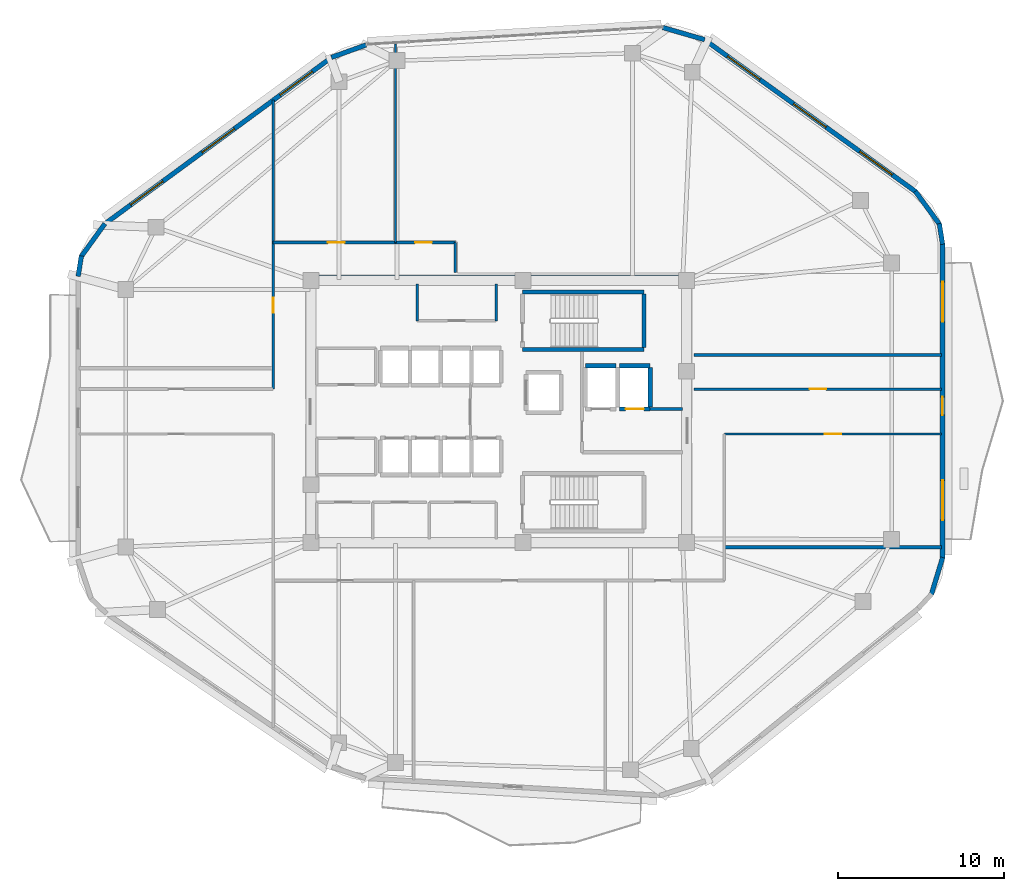
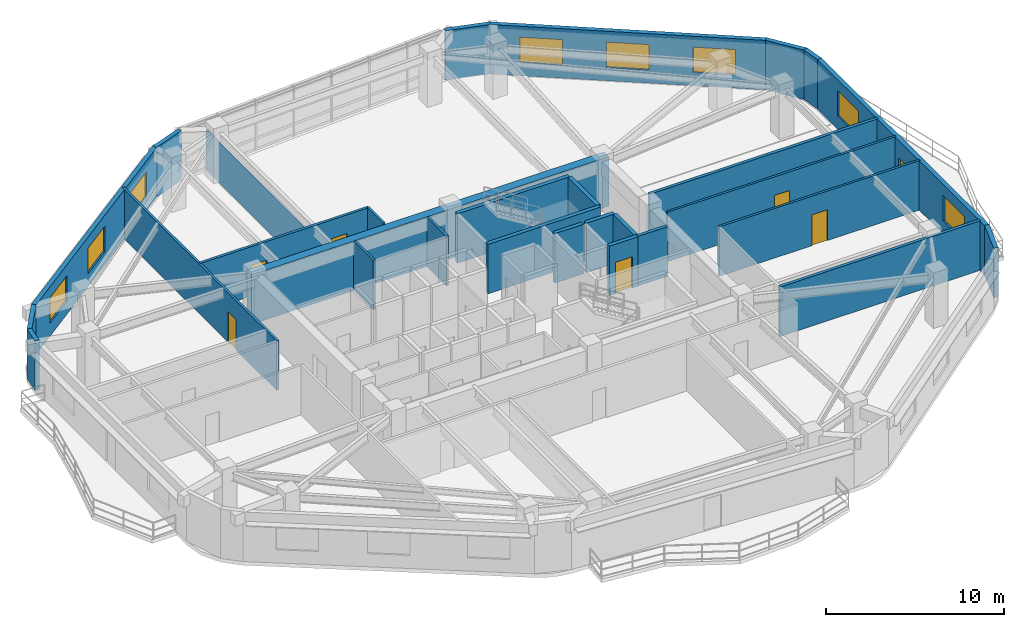
# One storey, part 10 of 14: 29 walls, 8 windows, 7 doors, 15 openings.
"""IFC4 building model written with IfcOpenShell, lengths in metres."""

from ifc_helpers import new_model, si_unit, direction, frame, frame_2d, origin, place, context, subcontext, project, spatial, rectangle, extrude, material, layer, layer_set, type_object, element, fill, save


model = new_model("IFC4")

# Units and contexts
model_context = context("Model", 3, precision=1e-05, world=origin(), true_north=direction((0.0, 1.0)))
body_context = subcontext(model_context, "Body", "Model", "MODEL_VIEW")
ifc_project = project(units=[si_unit("LENGTHUNIT", "METRE"), si_unit("AREAUNIT", "SQUARE_METRE"), si_unit("VOLUMEUNIT", "CUBIC_METRE"), si_unit("PLANEANGLEUNIT", "RADIAN"), si_unit("MASSUNIT", "GRAM", prefix="KILO")], contexts=[model_context])

# Site, building, storey
site_placement = place(None, origin())
site = spatial("IfcSite", under=ifc_project, at=site_placement, CompositionType="ELEMENT")
building_placement = place(site_placement, origin())
building = spatial("IfcBuilding", under=site, at=building_placement, Name="Zulverin Broadcast Headquarters", CompositionType="ELEMENT")
storey_placement = place(building_placement, frame((0.0, 0.0, 216.199951171875)))
storey = spatial("IfcBuildingStorey", under=building, at=storey_placement, Name="L55", CompositionType="ELEMENT", Elevation=216.199951171875)

# Walls
ifc_material_1 = material(Name="Acoustic drywall steel stud", Category="steel")
ifc_layer_1 = layer(ifc_material_1, 0.199951171875, Name="Acoustic drywall steel stud", Category="steel")
ifc_layer_set_1 = layer_set([ifc_layer_1], Name="Acoustic drywall steel stud")
wall_type_1 = type_object("IfcWallType", Name="WL-ACOU-200", PredefinedType="PARTITIONING", material=ifc_layer_set_1)
wall_1_placement = place(storey_placement, frame((50.550048828125, 17.050048828125, 0.0), z_axis=(0.0, 0.0, 1.0), x_axis=(1.0, 0.0, 0.0)))
element("IfcWall", 1, at=wall_1_placement, inside=storey, type_object=wall_type_1, Name="L55 Room Partition Wall RP-09", PredefinedType="PARTITIONING", context=body_context, shape_type="SweptSolid", body=[
    extrude(rectangle(XDim=13.044921875, YDim=0.199951171875, at=frame_2d((6.5224609375, 0.0))), origin(), (0.0, 0.0, 1.0), 3.400146484375),
])
wall_2_placement = place(storey_placement, frame((48.739990234375, 28.60009765625, 0.0), z_axis=(0.0, 0.0, 1.0), x_axis=(1.0, 0.0, 0.0)))
element("IfcWall", 2, at=wall_2_placement, inside=storey, type_object=wall_type_1, Name="L55 Room Partition Wall RP-15", PredefinedType="PARTITIONING", context=body_context, shape_type="SweptSolid", body=[
    extrude(rectangle(XDim=14.85498046875, YDim=0.199951171875, at=frame_2d((7.427490234375, 0.0))), origin(), (0.0, 0.0, 1.0), 3.400146484375),
])
ifc_material_2 = material(Name="Concrete C60/75", Category="concrete")
ifc_layer_2 = layer(ifc_material_2, 0.550048828125, Name="Concrete C60/75", Category="concrete")
ifc_layer_set_2 = layer_set([ifc_layer_2], Name="Concrete C60/75")
wall_type_2 = type_object("IfcWallType", Name="WL-CORE-550", PredefinedType="SHEAR", material=ifc_layer_set_2)
wall_3_placement = place(storey_placement, frame((25.39990234375, 33.125, 0.0), z_axis=(0.0, 0.0, 1.0), x_axis=(1.0, 0.0, 0.0)))
element("IfcWall", 3, at=wall_3_placement, inside=storey, type_object=wall_type_2, Name="L55 Core North Shear Wall", PredefinedType="SHEAR", context=body_context, shape_type="SweptSolid", body=[
    extrude(rectangle(XDim=23.2001953125, YDim=0.550048828125, at=frame_2d((11.60009765625, 0.0))), origin(), (0.0, 0.0, 1.0), 3.400146484375),
])

# Wall, openings, door, windows
ifc_material_3 = material(Name="Insulated pale-metal clad concrete spandrel C40/50", Category="concrete")
ifc_layer_3 = layer(ifc_material_3, 0.280029296875, Name="Insulated pale-metal clad concrete spandrel C40/50", Category="concrete")
ifc_layer_set_3 = layer_set([ifc_layer_3], Name="Insulated pale-metal clad concrete spandrel C40/50")
wall_type_3 = type_object("IfcWallType", Name="WL-EXT-280", PredefinedType="STANDARD", material=ifc_layer_set_3)
wall_4_placement = place(storey_placement, frame((63.659912109375, 16.390380859375, 0.0), z_axis=(0.0, 0.0, 1.0), x_axis=(0.0, 1.0, 0.0)))
wall_4 = element("IfcWall", 4, at=wall_4_placement, inside=storey, type_object=wall_type_3, Name="L55 Pale-Metal Clad Spandrel Wall 3", PredefinedType="STANDARD", context=body_context, shape_type="SweptSolid", body=[
    extrude(rectangle(XDim=18.875732421875, YDim=0.280029296875, at=frame_2d((9.43798828125, 0.0))), origin(), (0.0, 0.0, 1.0), 3.400146484375),
])
opening_1_placement = place(wall_4_placement, frame((8.587890625, 0.0, 0.0)))
opening_1 = element("IfcOpeningElement", 5, at=opening_1_placement, cuts=wall_4, Name="Opening D-L55-TR3", PredefinedType="OPENING", context=body_context, shape_type="SweptSolid", body=[
    extrude(rectangle(XDim=1.10009765625, YDim=2.199951171875, at=frame_2d((0.550048828125, 1.10009765625))), frame((0.0, 0.14990234375, 0.0), z_axis=(0.0, -1.0, 0.0), x_axis=(1.0, 0.0, 0.0)), (0.0, 0.0, 1.0), 0.300048828125),
])
opening_2_placement = place(wall_4_placement, frame((2.279296875, 0.0, 0.89990234375)))
opening_2 = element("IfcOpeningElement", 6, at=opening_2_placement, cuts=wall_4, Name="Opening W-L55-E31", PredefinedType="OPENING", context=body_context, shape_type="SweptSolid", body=[
    extrude(rectangle(XDim=2.39990234375, YDim=1.75, at=frame_2d((1.199951171875, 0.875))), frame((0.0, 0.14990234375, 0.0), z_axis=(0.0, -1.0, 0.0), x_axis=(1.0, 0.0, 0.0)), (0.0, 0.0, 1.0), 0.300048828125),
])
opening_3_placement = place(wall_4_placement, frame((14.196533203125, 0.0, 0.89990234375)))
opening_3 = element("IfcOpeningElement", 7, at=opening_3_placement, cuts=wall_4, Name="Opening W-L55-E32", PredefinedType="OPENING", context=body_context, shape_type="SweptSolid", body=[
    extrude(rectangle(XDim=2.39990234375, YDim=1.75, at=frame_2d((1.199951171875, 0.875))), frame((0.0, 0.14990234375, 0.0), z_axis=(0.0, -1.0, 0.0), x_axis=(1.0, 0.0, 0.0)), (0.0, 0.0, 1.0), 0.300048828125),
])
ifc_material_4 = material(Name="Thermally broken aluminium glazed", Category="aluminium")
door_type_1 = type_object("IfcDoorType", Name="DR-TERR-1100", OperationType="SINGLE_SWING_RIGHT", PredefinedType="DOOR", material=ifc_material_4)
door_1_placement = place(opening_1_placement, origin())
door_1 = element("IfcDoor", 8, at=door_1_placement, inside=storey, type_object=door_type_1, Name="L55 Planted Terrace Glazed Access Door 3", OperationType="SINGLE_SWING_RIGHT", OverallHeight=2.199951171875, OverallWidth=1.10009765625, PredefinedType="DOOR", context=body_context, shape_type="SweptSolid", body=[
    extrude(rectangle(XDim=1.10009765625, YDim=2.199951171875, at=frame_2d((0.550048828125, 1.10009765625))), frame((0.0, 0.02490234375, 0.0), z_axis=(0.0, -1.0, 0.0), x_axis=(1.0, 0.0, 0.0)), (0.0, 0.0, 1.0), 0.050048828125),
])
fill(opening_1, door_1)
ifc_material_5 = material(Name="Pale anodized aluminium frame with solar-control low-E double glazing", Category="aluminium")
window_type = type_object("IfcWindowType", Name="WIN-RIB-2400", PartitioningType="SINGLE_PANEL", PredefinedType="WINDOW", material=ifc_material_5)
window_1_placement = place(opening_2_placement, origin())
window_1 = element("IfcWindow", 9, at=window_1_placement, inside=storey, type_object=window_type, Name="L55 Ribbon Glazing Window 3 1", OverallHeight=1.75, OverallWidth=2.39990234375, PartitioningType="SINGLE_PANEL", PredefinedType="WINDOW", context=body_context, shape_type="SweptSolid", body=[
    extrude(rectangle(XDim=2.39990234375, YDim=1.75, at=frame_2d((1.199951171875, 0.875))), frame((0.0, 0.030029296875, 0.0), z_axis=(0.0, -1.0, 0.0), x_axis=(1.0, 0.0, 0.0)), (0.0, 0.0, 1.0), 0.06005859375),
])
fill(opening_2, window_1)
window_2_placement = place(opening_3_placement, origin())
window_2 = element("IfcWindow", 10, at=window_2_placement, inside=storey, type_object=window_type, Name="L55 Ribbon Glazing Window 3 2", OverallHeight=1.75, OverallWidth=2.39990234375, PartitioningType="SINGLE_PANEL", PredefinedType="WINDOW", context=body_context, shape_type="SweptSolid", body=[
    extrude(rectangle(XDim=2.39990234375, YDim=1.75, at=frame_2d((1.199951171875, 0.875))), frame((0.0, 0.030029296875, 0.0), z_axis=(0.0, -1.0, 0.0), x_axis=(1.0, 0.0, 0.0)), (0.0, 0.0, 1.0), 0.06005859375),
])
fill(opening_3, window_2)

# Wall, openings, windows
wall_5_placement = place(storey_placement, frame((62.054443359375, 38.3994140625, 0.0), z_axis=(0.0, 0.0, 1.0), x_axis=(-0.81172124793, 0.584045045915, 0.0)))
wall_5 = element("IfcWall", 11, at=wall_5_placement, inside=storey, type_object=wall_type_3, Name="L55 Pale-Metal Clad Spandrel Wall 4", PredefinedType="STANDARD", context=body_context, shape_type="SweptSolid", body=[
    extrude(rectangle(XDim=15.679443359375, YDim=0.280029296875, at=frame_2d((7.83984375, 0.0))), origin(), (0.0, 0.0, 1.0), 3.400146484375),
])
opening_4_placement = place(wall_5_placement, frame((1.74658203125, 0.0, 0.89990234375)))
opening_4 = element("IfcOpeningElement", 12, at=opening_4_placement, cuts=wall_5, Name="Opening W-L55-E41", PredefinedType="OPENING", context=body_context, shape_type="SweptSolid", body=[
    extrude(rectangle(XDim=2.39990234375, YDim=1.75, at=frame_2d((1.199951171875, 0.875))), frame((0.0, 0.14990234375, 0.0), z_axis=(0.0, -1.0, 0.0), x_axis=(1.0, 0.0, 0.0)), (0.0, 0.0, 1.0), 0.300048828125),
])
opening_5_placement = place(wall_5_placement, frame((6.6396484375, 0.0, 0.89990234375)))
opening_5 = element("IfcOpeningElement", 13, at=opening_5_placement, cuts=wall_5, Name="Opening W-L55-E42", PredefinedType="OPENING", context=body_context, shape_type="SweptSolid", body=[
    extrude(rectangle(XDim=2.39990234375, YDim=1.75, at=frame_2d((1.199951171875, 0.875))), frame((0.0, 0.14990234375, 0.0), z_axis=(0.0, -1.0, 0.0), x_axis=(1.0, 0.0, 0.0)), (0.0, 0.0, 1.0), 0.300048828125),
])
opening_6_placement = place(wall_5_placement, frame((11.53271484375, 0.0, 0.89990234375)))
opening_6 = element("IfcOpeningElement", 14, at=opening_6_placement, cuts=wall_5, Name="Opening W-L55-E43", PredefinedType="OPENING", context=body_context, shape_type="SweptSolid", body=[
    extrude(rectangle(XDim=2.39990234375, YDim=1.75, at=frame_2d((1.199951171875, 0.875))), frame((0.0, 0.14990234375, 0.0), z_axis=(0.0, -1.0, 0.0), x_axis=(1.0, 0.0, 0.0)), (0.0, 0.0, 1.0), 0.300048828125),
])
window_3_placement = place(opening_4_placement, origin())
window_3 = element("IfcWindow", 15, at=window_3_placement, inside=storey, type_object=window_type, Name="L55 Ribbon Glazing Window 4 1", OverallHeight=1.75, OverallWidth=2.39990234375, PartitioningType="SINGLE_PANEL", PredefinedType="WINDOW", context=body_context, shape_type="SweptSolid", body=[
    extrude(rectangle(XDim=2.39990234375, YDim=1.75, at=frame_2d((1.199951171875, 0.875))), frame((0.0, 0.030029296875, 0.0), z_axis=(0.0, -1.0, 0.0), x_axis=(1.0, 0.0, 0.0)), (0.0, 0.0, 1.0), 0.06005859375),
])
fill(opening_4, window_3)
window_4_placement = place(opening_5_placement, origin())
window_4 = element("IfcWindow", 16, at=window_4_placement, inside=storey, type_object=window_type, Name="L55 Ribbon Glazing Window 4 2", OverallHeight=1.75, OverallWidth=2.39990234375, PartitioningType="SINGLE_PANEL", PredefinedType="WINDOW", context=body_context, shape_type="SweptSolid", body=[
    extrude(rectangle(XDim=2.39990234375, YDim=1.75, at=frame_2d((1.199951171875, 0.875))), frame((0.0, 0.030029296875, 0.0), z_axis=(0.0, -1.0, 0.0), x_axis=(1.0, 0.0, 0.0)), (0.0, 0.0, 1.0), 0.06005859375),
])
fill(opening_5, window_4)
window_5_placement = place(opening_6_placement, origin())
window_5 = element("IfcWindow", 17, at=window_5_placement, inside=storey, type_object=window_type, Name="L55 Ribbon Glazing Window 4 3", OverallHeight=1.75, OverallWidth=2.39990234375, PartitioningType="SINGLE_PANEL", PredefinedType="WINDOW", context=body_context, shape_type="SweptSolid", body=[
    extrude(rectangle(XDim=2.39990234375, YDim=1.75, at=frame_2d((1.199951171875, 0.875))), frame((0.0, 0.030029296875, 0.0), z_axis=(0.0, -1.0, 0.0), x_axis=(1.0, 0.0, 0.0)), (0.0, 0.0, 1.0), 0.06005859375),
])
fill(opening_6, window_5)

wall_6_placement = place(storey_placement, frame((26.986083984375, 46.48779296875, 0.0), z_axis=(0.0, 0.0, 1.0), x_axis=(-0.806097783211, -0.59178236194, 0.0)))
wall_6 = element("IfcWall", 18, at=wall_6_placement, inside=storey, type_object=wall_type_3, Name="L55 Pale-Metal Clad Spandrel Wall 6", PredefinedType="STANDARD", context=body_context, shape_type="SweptSolid", body=[
    extrude(rectangle(XDim=16.958740234375, YDim=0.280029296875, at=frame_2d((8.4794921875, 0.0))), origin(), (0.0, 0.0, 1.0), 3.400146484375),
])
opening_7_placement = place(wall_6_placement, frame((1.459716796875, 0.0, 0.89990234375)))
opening_7 = element("IfcOpeningElement", 19, at=opening_7_placement, cuts=wall_6, Name="Opening W-L55-E61", PredefinedType="OPENING", context=body_context, shape_type="SweptSolid", body=[
    extrude(rectangle(XDim=2.39990234375, YDim=1.75, at=frame_2d((1.199951171875, 0.875))), frame((0.0, 0.14990234375, 0.0), z_axis=(0.0, -1.0, 0.0), x_axis=(1.0, 0.0, 0.0)), (0.0, 0.0, 1.0), 0.300048828125),
])
opening_8_placement = place(wall_6_placement, frame((7.279296875, 0.0, 0.89990234375)))
opening_8 = element("IfcOpeningElement", 20, at=opening_8_placement, cuts=wall_6, Name="Opening W-L55-E62", PredefinedType="OPENING", context=body_context, shape_type="SweptSolid", body=[
    extrude(rectangle(XDim=2.39990234375, YDim=1.75, at=frame_2d((1.199951171875, 0.875))), frame((0.0, 0.14990234375, 0.0), z_axis=(0.0, -1.0, 0.0), x_axis=(1.0, 0.0, 0.0)), (0.0, 0.0, 1.0), 0.300048828125),
])
opening_9_placement = place(wall_6_placement, frame((12.59912109375, 0.0, 0.89990234375)))
opening_9 = element("IfcOpeningElement", 21, at=opening_9_placement, cuts=wall_6, Name="Opening W-L55-E63", PredefinedType="OPENING", context=body_context, shape_type="SweptSolid", body=[
    extrude(rectangle(XDim=2.39990234375, YDim=1.75, at=frame_2d((1.199951171875, 0.875))), frame((0.0, 0.14990234375, 0.0), z_axis=(0.0, -1.0, 0.0), x_axis=(1.0, 0.0, 0.0)), (0.0, 0.0, 1.0), 0.300048828125),
])
window_6_placement = place(opening_7_placement, origin())
window_6 = element("IfcWindow", 22, at=window_6_placement, inside=storey, type_object=window_type, Name="L55 Ribbon Glazing Window 6 1", OverallHeight=1.75, OverallWidth=2.39990234375, PartitioningType="SINGLE_PANEL", PredefinedType="WINDOW", context=body_context, shape_type="SweptSolid", body=[
    extrude(rectangle(XDim=2.39990234375, YDim=1.75, at=frame_2d((1.199951171875, 0.875))), frame((0.0, 0.030029296875, 0.0), z_axis=(0.0, -1.0, 0.0), x_axis=(1.0, 0.0, 0.0)), (0.0, 0.0, 1.0), 0.06005859375),
])
fill(opening_7, window_6)
window_7_placement = place(opening_8_placement, origin())
window_7 = element("IfcWindow", 23, at=window_7_placement, inside=storey, type_object=window_type, Name="L55 Ribbon Glazing Window 6 2", OverallHeight=1.75, OverallWidth=2.39990234375, PartitioningType="SINGLE_PANEL", PredefinedType="WINDOW", context=body_context, shape_type="SweptSolid", body=[
    extrude(rectangle(XDim=2.39990234375, YDim=1.75, at=frame_2d((1.199951171875, 0.875))), frame((0.0, 0.030029296875, 0.0), z_axis=(0.0, -1.0, 0.0), x_axis=(1.0, 0.0, 0.0)), (0.0, 0.0, 1.0), 0.06005859375),
])
fill(opening_8, window_7)
window_8_placement = place(opening_9_placement, origin())
window_8 = element("IfcWindow", 24, at=window_8_placement, inside=storey, type_object=window_type, Name="L55 Ribbon Glazing Window 6 3", OverallHeight=1.75, OverallWidth=2.39990234375, PartitioningType="SINGLE_PANEL", PredefinedType="WINDOW", context=body_context, shape_type="SweptSolid", body=[
    extrude(rectangle(XDim=2.39990234375, YDim=1.75, at=frame_2d((1.199951171875, 0.875))), frame((0.0, 0.030029296875, 0.0), z_axis=(0.0, -1.0, 0.0), x_axis=(1.0, 0.0, 0.0)), (0.0, 0.0, 1.0), 0.06005859375),
])
fill(opening_9, window_8)

# Walls
wall_7_placement = place(storey_placement, frame((62.98193359375, 14.194091796875, 0.0), z_axis=(0.0, 0.0, 1.0), x_axis=(0.292398811023, 0.956296468315, 0.0)))
element("IfcWall", 25, at=wall_7_placement, inside=storey, type_object=wall_type_3, Name="L55 Wind-Shaped Corner Spandrel Wall 2-2", PredefinedType="STANDARD", context=body_context, shape_type="SweptSolid", body=[
    extrude(rectangle(XDim=2.339599609375, YDim=0.280029296875, at=frame_2d((1.169921875, 0.0))), origin(), (0.0, 0.0, 1.0), 3.400146484375),
])
wall_8_placement = place(storey_placement, frame((63.66162109375, 35.244140625, 0.0), z_axis=(0.0, 0.0, 1.0), x_axis=(-0.157059104921, 0.987589204863, 0.0)))
element("IfcWall", 26, at=wall_8_placement, inside=storey, type_object=wall_type_3, Name="L55 Wind-Shaped Corner Spandrel Wall 3-1", PredefinedType="STANDARD", context=body_context, shape_type="SweptSolid", body=[
    extrude(rectangle(XDim=1.257568359375, YDim=0.280029296875, at=frame_2d((0.62890625, 0.0))), origin(), (0.0, 0.0, 1.0), 3.400146484375),
])
wall_9_placement = place(storey_placement, frame((63.4892578125, 36.425537109375, 0.0), z_axis=(0.0, 0.0, 1.0), x_axis=(-0.590267940876, 0.80720738226, 0.0)))
element("IfcWall", 27, at=wall_9_placement, inside=storey, type_object=wall_type_3, Name="L55 Wind-Shaped Corner Spandrel Wall 3-2", PredefinedType="STANDARD", context=body_context, shape_type="SweptSolid", body=[
    extrude(rectangle(XDim=2.483642578125, YDim=0.280029296875, at=frame_2d((1.24169921875, 0.0))), origin(), (0.0, 0.0, 1.0), 3.400146484375),
])
wall_10_placement = place(storey_placement, frame((49.3701171875, 47.535888671875, 0.0), z_axis=(0.0, 0.0, 1.0), x_axis=(-0.960380123045, 0.278693414453, 0.0)))
element("IfcWall", 28, at=wall_10_placement, inside=storey, type_object=wall_type_3, Name="L55 Wind-Shaped Corner Spandrel Wall 4-1", PredefinedType="STANDARD", context=body_context, shape_type="SweptSolid", body=[
    extrude(rectangle(XDim=2.6123046875, YDim=0.280029296875, at=frame_2d((1.30615234375, 0.0))), origin(), (0.0, 0.0, 1.0), 3.400146484375),
])
wall_11_placement = place(storey_placement, frame((29.02197265625, 47.2158203125, 0.0), z_axis=(0.0, 0.0, 1.0), x_axis=(-0.940706330201, -0.339222051643, 0.0)))
element("IfcWall", 29, at=wall_11_placement, inside=storey, type_object=wall_type_3, Name="L55 Wind-Shaped Corner Spandrel Wall 5-1", PredefinedType="STANDARD", context=body_context, shape_type="SweptSolid", body=[
    extrude(rectangle(XDim=2.20166015625, YDim=0.280029296875, at=frame_2d((1.100830078125, 0.0))), origin(), (0.0, 0.0, 1.0), 3.400146484375),
])
wall_12_placement = place(storey_placement, frame((13.346435546875, 36.48291015625, 0.0), z_axis=(0.0, 0.0, 1.0), x_axis=(-0.585128091556, -0.810940883463, 0.0)))
element("IfcWall", 30, at=wall_12_placement, inside=storey, type_object=wall_type_3, Name="L55 Wind-Shaped Corner Spandrel Wall 6-1", PredefinedType="STANDARD", context=body_context, shape_type="SweptSolid", body=[
    extrude(rectangle(XDim=2.459716796875, YDim=0.280029296875, at=frame_2d((1.22998046875, 0.0))), origin(), (0.0, 0.0, 1.0), 3.400146484375),
])
wall_13_placement = place(storey_placement, frame((11.931884765625, 34.54833984375, 0.0), z_axis=(0.0, 0.0, 1.0), x_axis=(-0.155519443181, -0.987832831401, 0.0)))
element("IfcWall", 31, at=wall_13_placement, inside=storey, type_object=wall_type_3, Name="L55 Wind-Shaped Corner Spandrel Wall 6-2", PredefinedType="STANDARD", context=body_context, shape_type="SweptSolid", body=[
    extrude(rectangle(XDim=1.244873046875, YDim=0.280029296875, at=frame_2d((0.62255859375, 0.0))), origin(), (0.0, 0.0, 1.0), 3.400146484375),
])
ifc_material_6 = material(Name="Concrete C40/50", Category="concrete")
ifc_layer_4 = layer(ifc_material_6, 0.199951171875, Name="Concrete C40/50", Category="concrete")
ifc_layer_set_4 = layer_set([ifc_layer_4], Name="Concrete C40/50")
wall_type_4 = type_object("IfcWallType", Name="WL-FFL-200", PredefinedType="SOLIDWALL", material=ifc_layer_set_4)
wall_14_placement = place(storey_placement, frame((46.10009765625, 25.35009765625, 0.0), z_axis=(0.0, 0.0, 1.0), x_axis=(1.0, 0.0, 0.0)))
element("IfcWall", 32, at=wall_14_placement, inside=storey, type_object=wall_type_4, Name="L55 Firefighting Lift Lobby North Wall", PredefinedType="SOLIDWALL", context=body_context, shape_type="SweptSolid", body=[
    extrude(rectangle(XDim=1.949951171875, YDim=0.199951171875, at=frame_2d((0.97509765625, 0.0))), origin(), (0.0, 0.0, 1.0), 3.400146484375),
])
ifc_material_7 = material(Name="Fire-rated acoustic laminated glass screen", Category="glass")
ifc_layer_5 = layer(ifc_material_7, 0.10009765625, Name="Fire-rated acoustic laminated glass screen", Category="glass")
ifc_layer_set_5 = layer_set([ifc_layer_5], Name="Fire-rated acoustic laminated glass screen")
wall_type_5 = type_object("IfcWallType", Name="WL-GLAZ-100", PredefinedType="PARTITIONING", material=ifc_layer_set_5)
wall_15_placement = place(storey_placement, frame((30.800048828125, 35.35009765625, 0.0), z_axis=(0.0, 0.0, 1.0), x_axis=(0.0, 1.0, 0.0)))
element("IfcWall", 33, at=wall_15_placement, inside=storey, type_object=wall_type_5, Name="L55 Room Partition Wall RP-05", PredefinedType="PARTITIONING", context=body_context, shape_type="SweptSolid", body=[
    extrude(rectangle(XDim=11.918212890625, YDim=0.10009765625, at=frame_2d((5.958984375, 0.0))), origin(), (0.0, 0.0, 1.0), 2.782958984375),
])
ifc_material_8 = material(Name="Fire-rated gypsum stud partition", Category="gypsum")
ifc_layer_6 = layer(ifc_material_8, 0.14990234375, Name="Fire-rated gypsum stud partition", Category="gypsum")
ifc_layer_set_6 = layer_set([ifc_layer_6], Name="Fire-rated gypsum stud partition")
wall_type_6 = type_object("IfcWallType", Name="WL-PART-150", PredefinedType="PARTITIONING", material=ifc_layer_set_6)
for number, where, z_axis, x_axis, name in (
    (34, (32.10009765625, 30.64990234375, 0.0), (0.0, 0.0, 1.0), (0.0, 1.0, 0.0), "L55 Core Accessible WC & Electrical Riser West Wall"),
    (35, (36.85009765625, 30.64990234375, 0.0), (0.0, 0.0, 1.0), (0.0, 1.0, 0.0), "L55 Core Accessible WC & Electrical Riser East Wall"),
):
    element("IfcWall", number, at=place(storey_placement, frame(where, z_axis=z_axis, x_axis=x_axis)), inside=storey, type_object=wall_type_6, Name=name, PredefinedType="PARTITIONING", context=body_context, shape_type="SweptSolid", body=[
        extrude(rectangle(XDim=2.2001953125, YDim=0.14990234375, at=frame_2d((1.10009765625, 0.0))), origin(), (0.0, 0.0, 1.0), 3.400146484375),
    ])
wall_16_placement = place(storey_placement, frame((34.39990234375, 33.5400390625, 0.0), z_axis=(0.0, 0.0, 1.0), x_axis=(0.0, 1.0, 0.0)))
element("IfcWall", 36, at=wall_16_placement, inside=storey, type_object=wall_type_6, Name="L55 Gallery Partition Wall CG-03", PredefinedType="PARTITIONING", context=body_context, shape_type="SweptSolid", body=[
    extrude(rectangle(XDim=1.81005859375, YDim=0.14990234375, at=frame_2d((0.905029296875, 0.0))), origin(), (0.0, 0.0, 1.0), 3.400146484375),
])

# Wall, opening, door
wall_17_placement = place(storey_placement, frame((23.449951171875, 26.550048828125, 0.0), z_axis=(0.0, 0.0, 1.0), x_axis=(0.0, 1.0, 0.0)))
wall_17 = element("IfcWall", 37, at=wall_17_placement, inside=storey, type_object=wall_type_6, Name="L55 Gallery Partition Wall CG-07", PredefinedType="PARTITIONING", context=body_context, shape_type="SweptSolid", body=[
    extrude(rectangle(XDim=17.375244140625, YDim=0.14990234375, at=frame_2d((8.6875, 0.0))), origin(), (0.0, 0.0, 1.0), 3.400146484375),
])
opening_10_placement = place(wall_17_placement, frame((4.574951171875, 0.0, 0.0)))
opening_10 = element("IfcOpeningElement", 38, at=opening_10_placement, cuts=wall_17, Name="Opening D-L55-08", PredefinedType="OPENING", context=body_context, shape_type="SweptSolid", body=[
    extrude(rectangle(XDim=0.89990234375, YDim=2.10009765625, at=frame_2d((0.449951171875, 1.050048828125))), frame((0.0, 0.0849609375, 0.0), z_axis=(0.0, -1.0, 0.0), x_axis=(1.0, 0.0, 0.0)), (0.0, 0.0, 1.0), 0.169921875),
])
ifc_material_9 = material(Name="Fire-rated hardwood veneer timber leaf", Category="wood")
door_type_2 = type_object("IfcDoorType", Name="DR-ROOM-900", OperationType="SINGLE_SWING_RIGHT", PredefinedType="DOOR", material=ifc_material_9)
door_2_placement = place(opening_10_placement, origin())
door_2 = element("IfcDoor", 39, at=door_2_placement, inside=storey, type_object=door_type_2, Name="L55 Tea Pantry Door", OperationType="SINGLE_SWING_LEFT", OverallHeight=2.10009765625, OverallWidth=0.89990234375, PredefinedType="DOOR", context=body_context, shape_type="SweptSolid", body=[
    extrude(rectangle(XDim=0.89990234375, YDim=2.10009765625, at=frame_2d((0.449951171875, 1.050048828125))), frame((0.0, 0.02490234375, 0.0), z_axis=(0.0, -1.0, 0.0), x_axis=(1.0, 0.0, 0.0)), (0.0, 0.0, 1.0), 0.050048828125),
])
fill(opening_10, door_2)

wall_18_placement = place(storey_placement, frame((50.550048828125, 23.85009765625, 0.0), z_axis=(0.0, 0.0, 1.0), x_axis=(1.0, 0.0, 0.0)))
wall_18 = element("IfcWall", 40, at=wall_18_placement, inside=storey, type_object=wall_type_6, Name="L55 Gallery Partition Wall CG-11", PredefinedType="PARTITIONING", context=body_context, shape_type="SweptSolid", body=[
    extrude(rectangle(XDim=13.044921875, YDim=0.14990234375, at=frame_2d((6.5224609375, 0.0))), origin(), (0.0, 0.0, 1.0), 3.400146484375),
])
opening_11_placement = place(wall_18_placement, frame((6.0224609375, 0.0, 0.0)))
opening_11 = element("IfcOpeningElement", 41, at=opening_11_placement, cuts=wall_18, Name="Opening D-L55-09", PredefinedType="OPENING", context=body_context, shape_type="SweptSolid", body=[
    extrude(rectangle(XDim=1.0, YDim=2.1201171875, at=frame_2d((0.5, 1.06005859375))), frame((0.0, 0.0849609375, 0.0), z_axis=(0.0, -1.0, 0.0), x_axis=(1.0, 0.0, 0.0)), (0.0, 0.0, 1.0), 0.169921875),
])
ifc_material_10 = material(Name="Hardwood veneer acoustic leaf", Category="wood")
door_type_3 = type_object("IfcDoorType", Name="DR-OFF-1000", OperationType="SINGLE_SWING_LEFT", PredefinedType="DOOR", material=ifc_material_10)
door_3_placement = place(opening_11_placement, origin())
door_3 = element("IfcDoor", 42, at=door_3_placement, inside=storey, type_object=door_type_3, Name="L55 Network Operations Open Workplace Door", OperationType="SINGLE_SWING_RIGHT", OverallHeight=2.1201171875, OverallWidth=1.0, PredefinedType="DOOR", context=body_context, shape_type="SweptSolid", body=[
    extrude(rectangle(XDim=1.0, YDim=2.1201171875, at=frame_2d((0.5, 1.06005859375))), frame((0.0, 0.02490234375, 0.0), z_axis=(0.0, -1.0, 0.0), x_axis=(1.0, 0.0, 0.0)), (0.0, 0.0, 1.0), 0.050048828125),
])
fill(opening_11, door_3)

wall_19_placement = place(storey_placement, frame((48.739990234375, 26.550048828125, 0.0), z_axis=(0.0, 0.0, 1.0), x_axis=(1.0, 0.0, 0.0)))
wall_19 = element("IfcWall", 43, at=wall_19_placement, inside=storey, type_object=wall_type_6, Name="L55 Gallery Partition Wall CG-13", PredefinedType="PARTITIONING", context=body_context, shape_type="SweptSolid", body=[
    extrude(rectangle(XDim=14.85498046875, YDim=0.14990234375, at=frame_2d((7.427490234375, 0.0))), origin(), (0.0, 0.0, 1.0), 3.400146484375),
])
opening_12_placement = place(wall_19_placement, frame((6.927490234375, 0.0, 0.0)))
opening_12 = element("IfcOpeningElement", 44, at=opening_12_placement, cuts=wall_19, Name="Opening D-L55-10", PredefinedType="OPENING", context=body_context, shape_type="SweptSolid", body=[
    extrude(rectangle(XDim=1.0, YDim=2.1201171875, at=frame_2d((0.5, 1.06005859375))), frame((0.0, 0.0849609375, 0.0), z_axis=(0.0, -1.0, 0.0), x_axis=(1.0, 0.0, 0.0)), (0.0, 0.0, 1.0), 0.169921875),
])
door_4_placement = place(opening_12_placement, origin())
door_4 = element("IfcDoor", 45, at=door_4_placement, inside=storey, type_object=door_type_3, Name="L55 Ingest Control Office Door", OperationType="SINGLE_SWING_LEFT", OverallHeight=2.1201171875, OverallWidth=1.0, PredefinedType="DOOR", context=body_context, shape_type="SweptSolid", body=[
    extrude(rectangle(XDim=1.0, YDim=2.1201171875, at=frame_2d((0.5, 1.06005859375))), frame((0.0, 0.02490234375, 0.0), z_axis=(0.0, -1.0, 0.0), x_axis=(1.0, 0.0, 0.0)), (0.0, 0.0, 1.0), 0.050048828125),
])
fill(opening_12, door_4)

# Wall, openings, doors
ifc_material_11 = material(Name="Fire-rated acoustic stud wall", Category="gypsum")
ifc_layer_7 = layer(ifc_material_11, 0.175048828125, Name="Fire-rated acoustic stud wall", Category="gypsum")
ifc_layer_set_7 = layer_set([ifc_layer_7], Name="Fire-rated acoustic stud wall")
wall_type_7 = type_object("IfcWallType", Name="WL-PART-175", PredefinedType="PARTITIONING", material=ifc_layer_set_7)
wall_20_placement = place(storey_placement, frame((23.449951171875, 35.35009765625, 0.0), z_axis=(0.0, 0.0, 1.0), x_axis=(1.0, 0.0, 0.0)))
wall_20 = element("IfcWall", 46, at=wall_20_placement, inside=storey, type_object=wall_type_7, Name="L55 Gallery Partition Wall CG-16", PredefinedType="PARTITIONING", context=body_context, shape_type="SweptSolid", body=[
    extrude(rectangle(XDim=10.949951171875, YDim=0.175048828125, at=frame_2d((5.47509765625, 0.0))), origin(), (0.0, 0.0, 1.0), 3.400146484375),
])
opening_13_placement = place(wall_20_placement, frame((3.294921875, 0.0, 0.0)))
opening_13 = element("IfcOpeningElement", 47, at=opening_13_placement, cuts=wall_20, Name="Opening D-L55-01", PredefinedType="OPENING", context=body_context, shape_type="SweptSolid", body=[
    extrude(rectangle(XDim=1.0, YDim=2.1201171875, at=frame_2d((0.5, 1.06005859375))), frame((0.0, 0.097412109375, 0.0), z_axis=(0.0, -1.0, 0.0), x_axis=(1.0, 0.0, 0.0)), (0.0, 0.0, 1.0), 0.195068359375),
])
opening_14_placement = place(wall_20_placement, frame((8.530029296875, 0.0, 0.0)))
opening_14 = element("IfcOpeningElement", 48, at=opening_14_placement, cuts=wall_20, Name="Opening D-L55-02", PredefinedType="OPENING", context=body_context, shape_type="SweptSolid", body=[
    extrude(rectangle(XDim=1.0, YDim=2.1201171875, at=frame_2d((0.5, 1.06005859375))), frame((0.0, 0.097412109375, 0.0), z_axis=(0.0, -1.0, 0.0), x_axis=(1.0, 0.0, 0.0)), (0.0, 0.0, 1.0), 0.195068359375),
])
door_5_placement = place(opening_13_placement, origin())
door_5 = element("IfcDoor", 49, at=door_5_placement, inside=storey, type_object=door_type_3, Name="L55 Network Operations Open Workplace Door", OperationType="SINGLE_SWING_RIGHT", OverallHeight=2.1201171875, OverallWidth=1.0, PredefinedType="DOOR", context=body_context, shape_type="SweptSolid", body=[
    extrude(rectangle(XDim=1.0, YDim=2.1201171875, at=frame_2d((0.5, 1.06005859375))), frame((0.0, 0.02490234375, 0.0), z_axis=(0.0, -1.0, 0.0), x_axis=(1.0, 0.0, 0.0)), (0.0, 0.0, 1.0), 0.050048828125),
])
fill(opening_13, door_5)
door_6_placement = place(opening_14_placement, origin())
door_6 = element("IfcDoor", 50, at=door_6_placement, inside=storey, type_object=door_type_3, Name="L55 Ingest Control Office Door", OperationType="SINGLE_SWING_LEFT", OverallHeight=2.1201171875, OverallWidth=1.0, PredefinedType="DOOR", context=body_context, shape_type="SweptSolid", body=[
    extrude(rectangle(XDim=1.0, YDim=2.1201171875, at=frame_2d((0.5, 1.06005859375))), frame((0.0, 0.02490234375, 0.0), z_axis=(0.0, -1.0, 0.0), x_axis=(1.0, 0.0, 0.0)), (0.0, 0.0, 1.0), 0.050048828125),
])
fill(opening_14, door_6)

# Walls
ifc_material_12 = material(Name="Concrete C50/60", Category="concrete")
ifc_layer_8 = layer(ifc_material_12, 0.25, Name="Concrete C50/60", Category="concrete")
ifc_layer_set_8 = layer_set([ifc_layer_8], Name="Concrete C50/60")
wall_type_8 = type_object("IfcWallType", Name="WL-SHAFT-250", PredefinedType="SHEAR", material=ifc_layer_set_8)
for number, where, z_axis, x_axis, name in (
    (51, (38.425048828125, 28.925048828125, 0.0), (0.0, 0.0, 1.0), (1.0, 0.0, 0.0), "L55 ST-1 Enclosure Wall S"),
    (52, (38.425048828125, 32.375, 0.0), (0.0, 0.0, 1.0), (1.0, 0.0, 0.0), "L55 ST-1 Enclosure Wall N"),
):
    element("IfcWall", number, at=place(storey_placement, frame(where, z_axis=z_axis, x_axis=x_axis)), inside=storey, type_object=wall_type_8, Name=name, PredefinedType="SHEAR", context=body_context, shape_type="SweptSolid", body=[
        extrude(rectangle(XDim=7.300048828125, YDim=0.25, at=frame_2d((3.64990234375, 0.0))), origin(), (0.0, 0.0, 1.0), 3.400146484375),
    ])
wall_21_placement = place(storey_placement, frame((45.72509765625, 29.050048828125, 0.0), z_axis=(0.0, 0.0, 1.0), x_axis=(0.0, 1.0, 0.0)))
element("IfcWall", 53, at=wall_21_placement, inside=storey, type_object=wall_type_8, Name="L55 ST-1 Enclosure Wall E", PredefinedType="SHEAR", context=body_context, shape_type="SweptSolid", body=[
    extrude(rectangle(XDim=3.199951171875, YDim=0.25, at=frame_2d((1.60009765625, 0.0))), origin(), (0.0, 0.0, 1.0), 3.400146484375),
])
wall_22_placement = place(storey_placement, frame((42.199951171875, 27.949951171875, 0.0), z_axis=(0.0, 0.0, 1.0), x_axis=(1.0, 0.0, 0.0)))
element("IfcWall", 54, at=wall_22_placement, inside=storey, type_object=wall_type_8, Name="L55 Lift FFL-1 Shaft Wall N", PredefinedType="SHEAR", context=body_context, shape_type="SweptSolid", body=[
    extrude(rectangle(XDim=1.85009765625, YDim=0.25, at=frame_2d((0.925048828125, 0.0))), origin(), (0.0, 0.0, 1.0), 3.400146484375),
])

# Wall, opening, door
wall_23_placement = place(storey_placement, frame((44.25, 25.35009765625, 0.0), z_axis=(0.0, 0.0, 1.0), x_axis=(1.0, 0.0, 0.0)))
wall_23 = element("IfcWall", 55, at=wall_23_placement, inside=storey, type_object=wall_type_8, Name="L55 Lift FFL-2 Shaft Wall S", PredefinedType="SHEAR", context=body_context, shape_type="SweptSolid", body=[
    extrude(rectangle(XDim=1.85009765625, YDim=0.25, at=frame_2d((0.925048828125, 0.0))), origin(), (0.0, 0.0, 1.0), 3.400146484375),
])
opening_15_placement = place(wall_23_placement, frame((0.375, 0.0, 0.0)))
opening_15 = element("IfcOpeningElement", 56, at=opening_15_placement, cuts=wall_23, Name="Opening LD-FFL-2-L55", PredefinedType="OPENING", context=body_context, shape_type="SweptSolid", body=[
    extrude(rectangle(XDim=1.10009765625, YDim=2.14990234375, at=frame_2d((0.550048828125, 1.074951171875))), frame((0.0, 0.135009765625, 0.0), z_axis=(0.0, -1.0, 0.0), x_axis=(1.0, 0.0, 0.0)), (0.0, 0.0, 1.0), 0.27001953125),
])
ifc_material_13 = material(Name="Fire-rated stainless landing door", Category="steel")
door_type_4 = type_object("IfcDoorType", Name="LD-FFL-1100", OperationType="DOUBLE_DOOR_SLIDING", PredefinedType="DOOR", material=ifc_material_13)
door_7_placement = place(opening_15_placement, origin())
door_7 = element("IfcDoor", 57, at=door_7_placement, inside=storey, type_object=door_type_4, Name="L55 Lift FFL-2 Sliding Landing Door", OperationType="DOUBLE_DOOR_SLIDING", OverallHeight=2.14990234375, OverallWidth=1.10009765625, PredefinedType="DOOR", context=body_context, shape_type="SweptSolid", body=[
    extrude(rectangle(XDim=1.10009765625, YDim=2.14990234375, at=frame_2d((0.550048828125, 1.074951171875))), frame((0.0, 0.02490234375, 0.0), z_axis=(0.0, -1.0, 0.0), x_axis=(1.0, 0.0, 0.0)), (0.0, 0.0, 1.0), 0.050048828125),
])
fill(opening_15, door_7)

# Walls
wall_24_placement = place(storey_placement, frame((44.25, 27.949951171875, 0.0), z_axis=(0.0, 0.0, 1.0), x_axis=(1.0, 0.0, 0.0)))
element("IfcWall", 58, at=wall_24_placement, inside=storey, type_object=wall_type_8, Name="L55 Lift FFL-2 Shaft Wall N", PredefinedType="SHEAR", context=body_context, shape_type="SweptSolid", body=[
    extrude(rectangle(XDim=1.85009765625, YDim=0.25, at=frame_2d((0.925048828125, 0.0))), origin(), (0.0, 0.0, 1.0), 3.400146484375),
])
wall_25_placement = place(storey_placement, frame((46.10009765625, 25.469970703125, 0.0), z_axis=(0.0, 0.0, 1.0), x_axis=(0.0, 1.0, 0.0)))
element("IfcWall", 59, at=wall_25_placement, inside=storey, type_object=wall_type_8, Name="L55 Lift FFL-2 Shaft Wall E", PredefinedType="SHEAR", context=body_context, shape_type="SweptSolid", body=[
    extrude(rectangle(XDim=2.360107421875, YDim=0.25, at=frame_2d((1.18017578125, 0.0))), origin(), (0.0, 0.0, 1.0), 3.400146484375),
])

save(model, "model.ifc")
